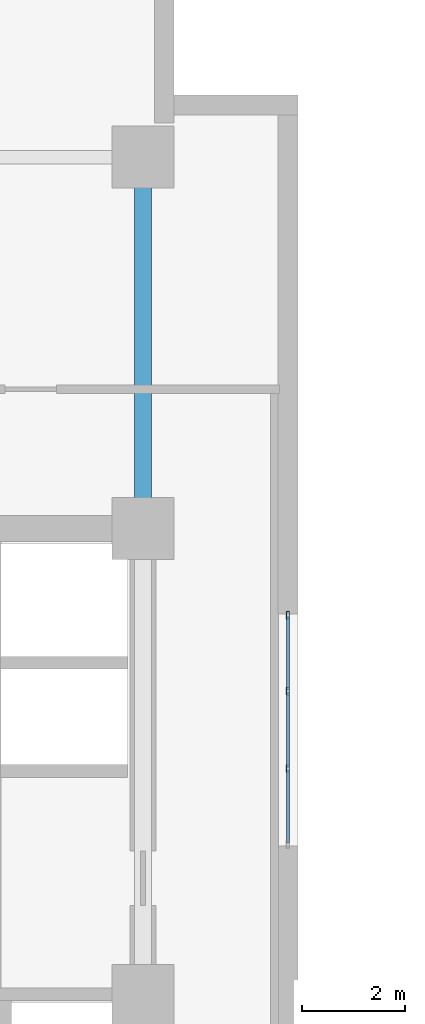
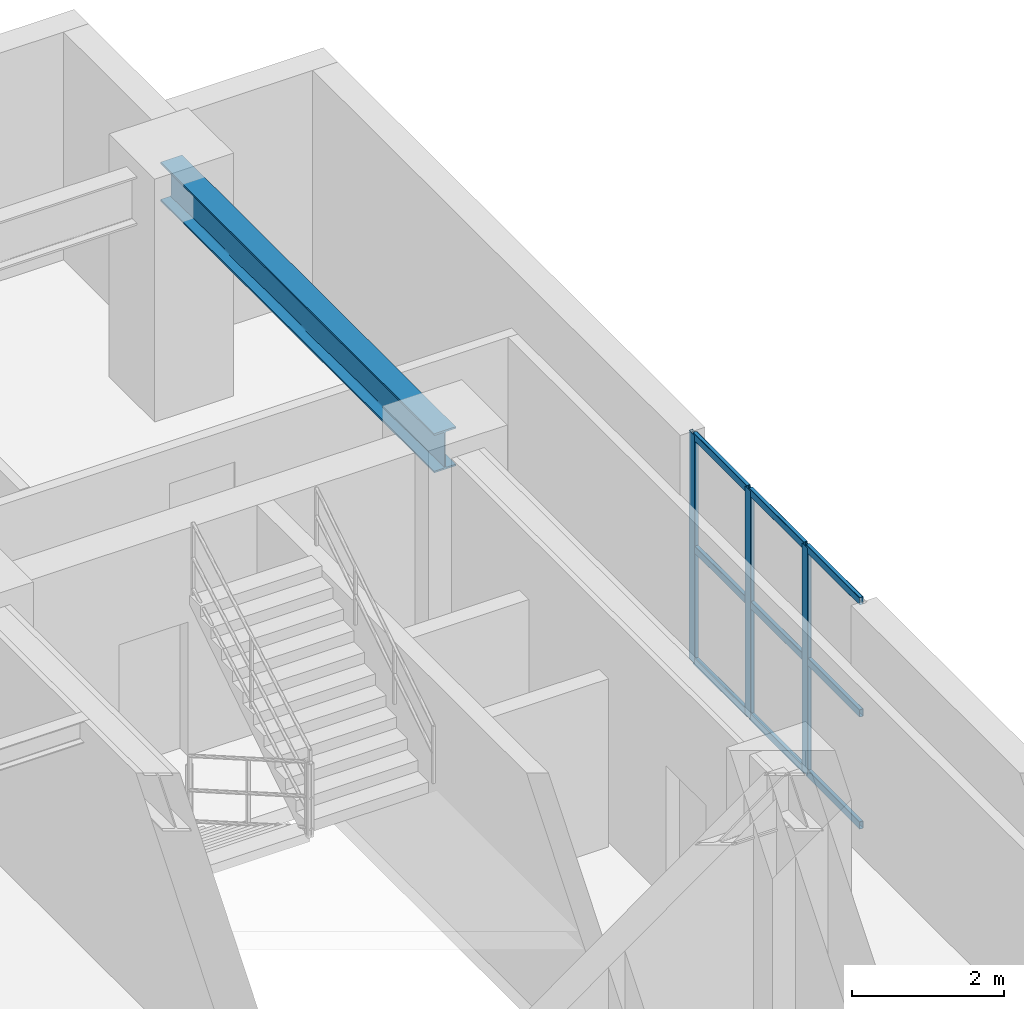
# One storey, part 4 of 11: 12 members, 1 beam, 1 element without a shape of its own.
"""IFC4 building model written with IfcOpenShell, lengths in metres."""

from ifc_helpers import new_model, entity, si_unit, converted_unit, direction, frame, origin_with_axes, origin_2d_with_axis, place, context, subcontext, project, spatial, hollow_rectangle, i_section, extrude, material, material_profile, profile_set, type_object, element, aggregate, save


model = new_model("IFC4")

# Units and contexts
model_context = context("Model", 3, precision=1e-05, world=origin_with_axes(), true_north=direction((0.0, 1.0)))
body_context = subcontext(model_context, "Body", "Model", "MODEL_VIEW")
ifc_project = project(units=[si_unit("LENGTHUNIT", "METRE"), si_unit("AREAUNIT", "SQUARE_METRE"), si_unit("VOLUMEUNIT", "CUBIC_METRE"), converted_unit("PLANEANGLEUNIT", "DEGREE", entity("IfcPlaneAngleMeasure", 0.017453292519943295), si_unit("PLANEANGLEUNIT", "RADIAN"), dimensions=[0, 0, 0, 0, 0, 0, 0]), si_unit("MASSUNIT", "GRAM", prefix="KILO"), si_unit("THERMODYNAMICTEMPERATUREUNIT", "KELVIN")], contexts=[model_context])

# Site, building, storey
site_placement = place(None, origin_with_axes())
site = spatial("IfcSite", under=ifc_project, at=site_placement, CompositionType="ELEMENT")
building_placement = place(site_placement, origin_with_axes())
building = spatial("IfcBuilding", under=site, at=building_placement, Name="Varnlund Millrace Tower", CompositionType="ELEMENT")
storey_placement = place(building_placement, frame((0.0, 0.0, 104.7), z_axis=(0.0, 0.0, 1.0), x_axis=(1.0, 0.0, 0.0)))
storey = spatial("IfcBuildingStorey", under=building, at=storey_placement, Name="L25", CompositionType="ELEMENT", Elevation=104.7)

# Curtain wall, members
ifc_material_1 = material(Name="Thermally broken architectural bronze curtain wall", Category="aluminium")
curtain_wall_type = type_object("IfcCurtainWallType", Name="Type-CW-Sys5-SkyLobby2Pool", PredefinedType="NOTDEFINED", material=ifc_material_1)
curtain_wall_placement = place(storey_placement, frame((21.41, 36.15, 0.0), z_axis=(0.0, 0.0, 1.0), x_axis=(1.0, 0.0, 0.0)))
curtain_wall = element("IfcCurtainWall", 1, at=curtain_wall_placement, inside=storey, type_object=curtain_wall_type, Name="Type-CW-Sys5-SkyLobby2Pool", PredefinedType="NOTDEFINED")
ifc_material_2 = material(Name="Architectural bronze aluminium alloy 6063-T6", Category="aluminium")
ifc_material_profile_1 = material_profile(ifc_material_2, hollow_rectangle(XDim=0.06, YDim=0.15, WallThickness=0.004, InnerFilletRadius=0.004, OuterFilletRadius=0.008, at=origin_2d_with_axis()), Name="Architectural bronze aluminium alloy 6063-T6")
ifc_profile_set_1 = profile_set([ifc_material_profile_1], Name="Architectural bronze aluminium alloy 6063-T6")
member_type_1 = type_object("IfcMemberType", Name="Type-CW-Mullion-60X150", PredefinedType="MULLION", material=ifc_profile_set_1)
member_1_placement = place(storey_placement, frame((21.41, 36.12, 0.0), z_axis=(0.0, 0.0, 1.0), x_axis=(1.0, 0.0, 0.0)))
member_1 = element("IfcMember", 2, at=member_1_placement, type_object=member_type_1, Name="CW-05 mullion 1", PredefinedType="MULLION", context=body_context, shape_type="SweptSolid", body=[
    extrude(hollow_rectangle(XDim=0.06, YDim=0.15, WallThickness=0.004, InnerFilletRadius=0.004, OuterFilletRadius=0.008, at=origin_2d_with_axis()), origin_with_axes(), (0.0, 0.0, 1.0), 3.66),
])
member_2_placement = place(storey_placement, frame((21.41, 34.65, 0.0), z_axis=(0.0, 0.0, 1.0), x_axis=(1.0, 0.0, 0.0)))
member_2 = element("IfcMember", 3, at=member_2_placement, type_object=member_type_1, Name="CW-05 mullion 2", PredefinedType="MULLION", context=body_context, shape_type="SweptSolid", body=[
    extrude(hollow_rectangle(XDim=0.06, YDim=0.15, WallThickness=0.004, InnerFilletRadius=0.004, OuterFilletRadius=0.008, at=origin_2d_with_axis()), origin_with_axes(), (0.0, 0.0, 1.0), 3.66),
])
member_3_placement = place(storey_placement, frame((21.41, 33.15, 0.0), z_axis=(0.0, 0.0, 1.0), x_axis=(1.0, 0.0, 0.0)))
member_3 = element("IfcMember", 4, at=member_3_placement, type_object=member_type_1, Name="CW-05 mullion 3", PredefinedType="MULLION", context=body_context, shape_type="SweptSolid", body=[
    extrude(hollow_rectangle(XDim=0.06, YDim=0.15, WallThickness=0.004, InnerFilletRadius=0.004, OuterFilletRadius=0.008, at=origin_2d_with_axis()), origin_with_axes(), (0.0, 0.0, 1.0), 3.66),
])
ifc_material_profile_2 = material_profile(ifc_material_2, hollow_rectangle(XDim=0.06, YDim=0.12, WallThickness=0.004, InnerFilletRadius=0.004, OuterFilletRadius=0.008, at=origin_2d_with_axis()), Name="Architectural bronze aluminium alloy 6063-T6")
ifc_profile_set_2 = profile_set([ifc_material_profile_2], Name="Architectural bronze aluminium alloy 6063-T6")
member_type_2 = type_object("IfcMemberType", Name="Type-CW-Transom-60X120", PredefinedType="USERDEFINED", material=ifc_profile_set_2)
member_4_placement = place(storey_placement, frame((21.41, 36.09, 0.03), z_axis=(0.0, -1.0, 0.0), x_axis=(1.0, 0.0, 0.0)))
member_4 = element("IfcMember", 5, at=member_4_placement, type_object=member_type_2, Name="CW-05 transom 1.1", ObjectType="TRANSOM", PredefinedType="USERDEFINED", context=body_context, shape_type="SweptSolid", body=[
    extrude(hollow_rectangle(XDim=0.06, YDim=0.12, WallThickness=0.004, InnerFilletRadius=0.004, OuterFilletRadius=0.008, at=origin_2d_with_axis()), origin_with_axes(), (0.0, 0.0, 1.0), 1.41),
])
member_5_placement = place(storey_placement, frame((21.41, 36.09, 1.83), z_axis=(0.0, -1.0, 0.0), x_axis=(1.0, 0.0, 0.0)))
member_5 = element("IfcMember", 6, at=member_5_placement, type_object=member_type_2, Name="CW-05 transom 1.2", ObjectType="TRANSOM", PredefinedType="USERDEFINED", context=body_context, shape_type="SweptSolid", body=[
    extrude(hollow_rectangle(XDim=0.06, YDim=0.12, WallThickness=0.004, InnerFilletRadius=0.004, OuterFilletRadius=0.008, at=origin_2d_with_axis()), origin_with_axes(), (0.0, 0.0, 1.0), 1.41),
])
member_6_placement = place(storey_placement, frame((21.41, 36.09, 3.63), z_axis=(0.0, -1.0, 0.0), x_axis=(1.0, 0.0, 0.0)))
member_6 = element("IfcMember", 7, at=member_6_placement, type_object=member_type_2, Name="CW-05 transom 1.3", ObjectType="TRANSOM", PredefinedType="USERDEFINED", context=body_context, shape_type="SweptSolid", body=[
    extrude(hollow_rectangle(XDim=0.06, YDim=0.12, WallThickness=0.004, InnerFilletRadius=0.004, OuterFilletRadius=0.008, at=origin_2d_with_axis()), origin_with_axes(), (0.0, 0.0, 1.0), 1.41),
])
member_7_placement = place(storey_placement, frame((21.41, 34.62, 0.03), z_axis=(0.0, -1.0, 0.0), x_axis=(1.0, 0.0, 0.0)))
member_7 = element("IfcMember", 8, at=member_7_placement, type_object=member_type_2, Name="CW-05 transom 2.1", ObjectType="TRANSOM", PredefinedType="USERDEFINED", context=body_context, shape_type="SweptSolid", body=[
    extrude(hollow_rectangle(XDim=0.06, YDim=0.12, WallThickness=0.004, InnerFilletRadius=0.004, OuterFilletRadius=0.008, at=origin_2d_with_axis()), origin_with_axes(), (0.0, 0.0, 1.0), 1.44),
])
member_8_placement = place(storey_placement, frame((21.41, 34.62, 1.83), z_axis=(0.0, -1.0, 0.0), x_axis=(1.0, 0.0, 0.0)))
member_8 = element("IfcMember", 9, at=member_8_placement, type_object=member_type_2, Name="CW-05 transom 2.2", ObjectType="TRANSOM", PredefinedType="USERDEFINED", context=body_context, shape_type="SweptSolid", body=[
    extrude(hollow_rectangle(XDim=0.06, YDim=0.12, WallThickness=0.004, InnerFilletRadius=0.004, OuterFilletRadius=0.008, at=origin_2d_with_axis()), origin_with_axes(), (0.0, 0.0, 1.0), 1.44),
])
member_9_placement = place(storey_placement, frame((21.41, 34.62, 3.63), z_axis=(0.0, -1.0, 0.0), x_axis=(1.0, 0.0, 0.0)))
member_9 = element("IfcMember", 10, at=member_9_placement, type_object=member_type_2, Name="CW-05 transom 2.3", ObjectType="TRANSOM", PredefinedType="USERDEFINED", context=body_context, shape_type="SweptSolid", body=[
    extrude(hollow_rectangle(XDim=0.06, YDim=0.12, WallThickness=0.004, InnerFilletRadius=0.004, OuterFilletRadius=0.008, at=origin_2d_with_axis()), origin_with_axes(), (0.0, 0.0, 1.0), 1.44),
])
member_10_placement = place(storey_placement, frame((21.41, 33.12, 0.03), z_axis=(0.0, -1.0, 0.0), x_axis=(1.0, 0.0, 0.0)))
member_10 = element("IfcMember", 11, at=member_10_placement, type_object=member_type_2, Name="CW-05 transom 3.1", ObjectType="TRANSOM", PredefinedType="USERDEFINED", context=body_context, shape_type="SweptSolid", body=[
    extrude(hollow_rectangle(XDim=0.06, YDim=0.12, WallThickness=0.004, InnerFilletRadius=0.004, OuterFilletRadius=0.008, at=origin_2d_with_axis()), origin_with_axes(), (0.0, 0.0, 1.0), 1.41),
])
member_11_placement = place(storey_placement, frame((21.41, 33.12, 1.83), z_axis=(0.0, -1.0, 0.0), x_axis=(1.0, 0.0, 0.0)))
member_11 = element("IfcMember", 12, at=member_11_placement, type_object=member_type_2, Name="CW-05 transom 3.2", ObjectType="TRANSOM", PredefinedType="USERDEFINED", context=body_context, shape_type="SweptSolid", body=[
    extrude(hollow_rectangle(XDim=0.06, YDim=0.12, WallThickness=0.004, InnerFilletRadius=0.004, OuterFilletRadius=0.008, at=origin_2d_with_axis()), origin_with_axes(), (0.0, 0.0, 1.0), 1.41),
])
member_12_placement = place(storey_placement, frame((21.41, 33.12, 3.63), z_axis=(0.0, -1.0, 0.0), x_axis=(1.0, 0.0, 0.0)))
member_12 = element("IfcMember", 13, at=member_12_placement, type_object=member_type_2, Name="CW-05 transom 3.3", ObjectType="TRANSOM", PredefinedType="USERDEFINED", context=body_context, shape_type="SweptSolid", body=[
    extrude(hollow_rectangle(XDim=0.06, YDim=0.12, WallThickness=0.004, InnerFilletRadius=0.004, OuterFilletRadius=0.008, at=origin_2d_with_axis()), origin_with_axes(), (0.0, 0.0, 1.0), 1.41),
])
aggregate(curtain_wall, [member_1, member_2, member_3, member_4, member_5, member_6, member_7, member_8, member_9, member_10, member_11, member_12])

# Beam
ifc_material_3 = material(Name="Steel ASTM A992 Grade 50", Category="steel")
ifc_material_profile_3 = material_profile(ifc_material_3, i_section(OverallWidth=0.328, OverallDepth=0.628, WebThickness=0.0165, FlangeThickness=0.0277, FilletRadius=0.018, at=origin_2d_with_axis()), Name="Steel ASTM A992 Grade 50")
ifc_profile_set_3 = profile_set([ifc_material_profile_3], Name="Steel ASTM A992 Grade 50")
beam_type = type_object("IfcBeamType", Name="Type-Girder-W24X146", PredefinedType="USERDEFINED", material=ifc_profile_set_3)
beam_placement = place(storey_placement, frame((18.6, 37.8, 3.346), z_axis=(0.0, 1.0, 0.0), x_axis=(-1.0, 0.0, 0.0)))
element("IfcBeam", 14, at=beam_placement, inside=storey, type_object=beam_type, Name="Type-Girder-W24X146", ObjectType="GIRDER", PredefinedType="USERDEFINED", context=body_context, shape_type="SweptSolid", body=[
    extrude(i_section(OverallWidth=0.328, OverallDepth=0.628, WebThickness=0.0165, FlangeThickness=0.0277, FilletRadius=0.018, at=origin_2d_with_axis()), origin_with_axes(), (0.0, 0.0, 1.0), 7.2),
])

save(model, "model.ifc")
